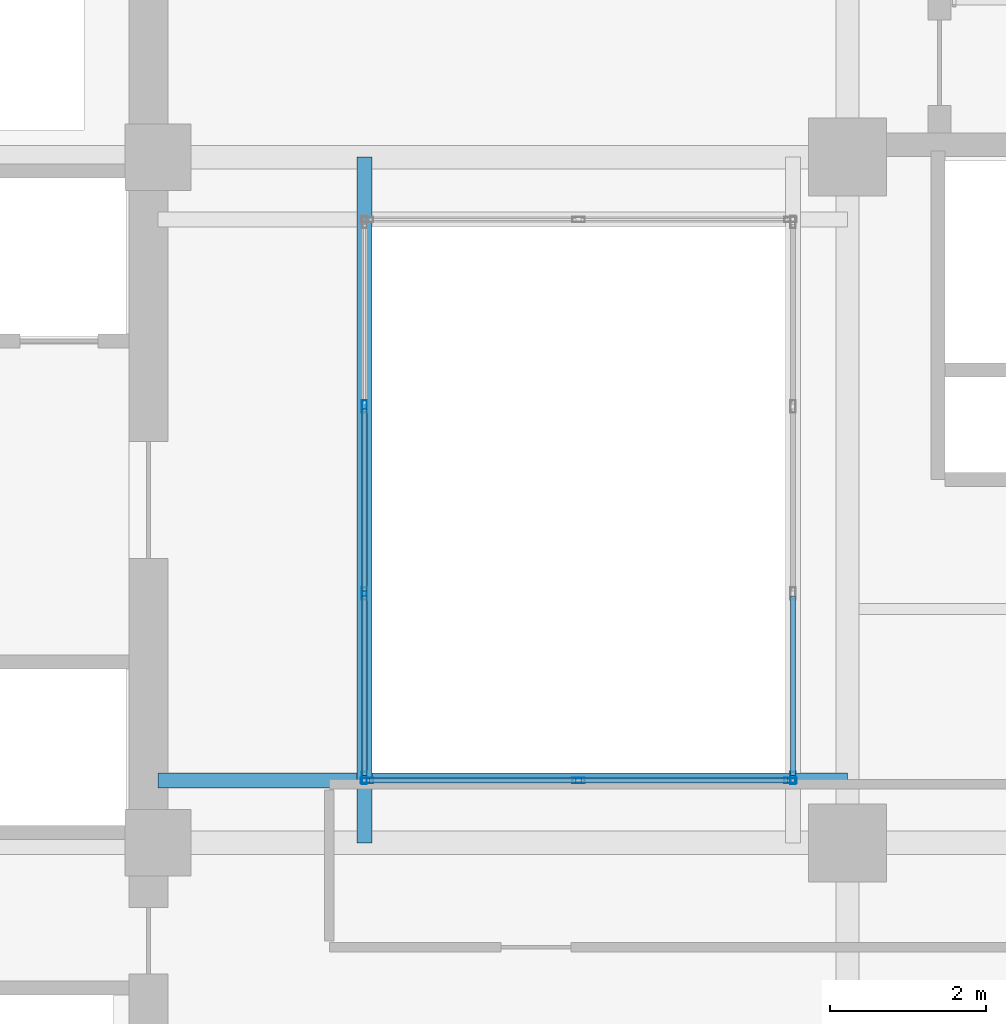
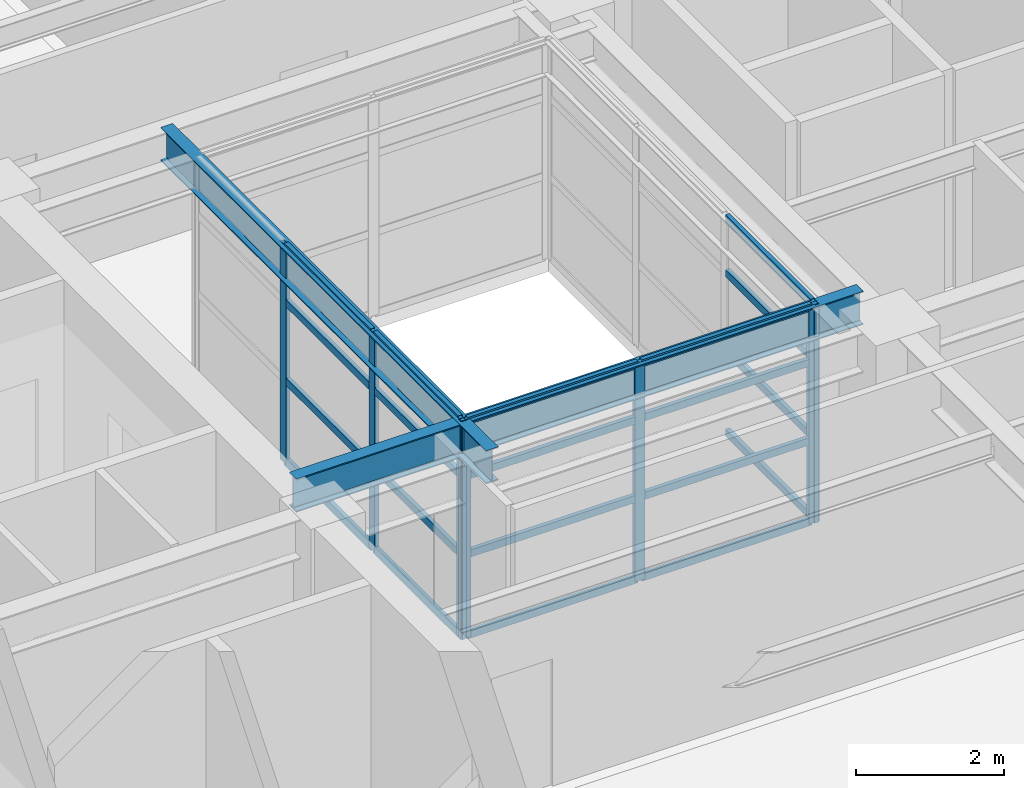
# One storey, part 2 of 14: 27 members, 2 beams, 3 elements without a shape of their own.
"""IFC4 building model written with IfcOpenShell, lengths in metres."""

from ifc_helpers import new_model, si_unit, direction, frame, origin, origin_2d, place, context, subcontext, project, spatial, hollow_rectangle, i_section, extrude, material, layer, layer_set, material_profile, profile_set, type_object, element, aggregate, save


model = new_model("IFC4")

# Units and contexts
model_context = context("Model", 3, precision=1e-05, world=origin(), true_north=direction((0.0, 1.0)))
body_context = subcontext(model_context, "Body", "Model", "MODEL_VIEW")
ifc_project = project(units=[si_unit("LENGTHUNIT", "METRE"), si_unit("AREAUNIT", "SQUARE_METRE"), si_unit("VOLUMEUNIT", "CUBIC_METRE"), si_unit("PLANEANGLEUNIT", "RADIAN"), si_unit("MASSUNIT", "GRAM", prefix="KILO")], contexts=[model_context])

# Site, building, storey
site_placement = place(None, origin())
site = spatial("IfcSite", under=ifc_project, at=site_placement, CompositionType="ELEMENT")
building_placement = place(site_placement, origin())
building = spatial("IfcBuilding", under=site, at=building_placement, Name="Kundavana Baori Tower", CompositionType="ELEMENT")
storey_placement = place(building_placement, frame((0.0, 0.0, 104.0)))
storey = spatial("IfcBuildingStorey", under=building, at=storey_placement, Name="L24", CompositionType="ELEMENT", Elevation=104.0)

# Beams
ifc_material_1 = material(Name="Structural Steel S355JR", Category="steel")
ifc_material_profile_1 = material_profile(ifc_material_1, i_section(OverallWidth=0.18994140625, OverallDepth=0.550048828125, WebThickness=0.01123046875, FlangeThickness=0.019287109375, FilletRadius=0.01806640625, at=origin_2d()), Name="ISMB 550")
ifc_profile_set_1 = profile_set([ifc_material_profile_1], Name="Structural Steel S355JR")
beam_type = type_object("IfcBeamType", Name="BM-ST-550", PredefinedType="BEAM", material=ifc_profile_set_1)
beam_1_placement = place(storey_placement, frame((27.60009765625, 24.199951171875, 3.324951171875), z_axis=(0.0, 1.0, 0.0), x_axis=(-1.0, 0.0, 0.0)))
element("IfcBeam", 1, at=beam_1_placement, inside=storey, type_object=beam_type, Name="L24 Atrium West Edge Beam", PredefinedType="BEAM", context=body_context, shape_type="SweptSolid", body=[
    extrude(i_section(OverallWidth=0.18994140625, OverallDepth=0.550048828125, WebThickness=0.01123046875, FlangeThickness=0.019287109375, FilletRadius=0.01806640625, at=origin_2d()), origin(), (0.0, 0.0, 1.0), 8.800048828125),
])
beam_2_placement = place(storey_placement, frame((24.949951171875, 25.0, 3.324951171875), z_axis=(1.0, 0.0, 0.0), x_axis=(0.0, 1.0, 0.0)))
element("IfcBeam", 2, at=beam_2_placement, inside=storey, type_object=beam_type, Name="L24 Atrium South Edge Beam", PredefinedType="BEAM", context=body_context, shape_type="SweptSolid", body=[
    extrude(i_section(OverallWidth=0.18994140625, OverallDepth=0.550048828125, WebThickness=0.01123046875, FlangeThickness=0.019287109375, FilletRadius=0.01806640625, at=origin_2d()), origin(), (0.0, 0.0, 1.0), 8.85009765625),
])

# Curtain wall, members
ifc_material_2 = material(Name="Thermally Broken Anodised Aluminium Framing", Category="aluminium")
ifc_layer = layer(ifc_material_2, 0.205078125, Name="CW-SYS-4")
ifc_layer_set = layer_set([ifc_layer], Name="Thermally Broken Anodised Aluminium Framing")
curtain_wall_type = type_object("IfcCurtainWallType", Name="CW-SYS-4", PredefinedType="NOTDEFINED", material=ifc_layer_set)
curtain_wall_1_placement = place(storey_placement, origin())
curtain_wall_1 = element("IfcCurtainWall", 3, at=curtain_wall_1_placement, inside=storey, type_object=curtain_wall_type, Name="L24 Atrium Glazed Curtain Wall S", PredefinedType="NOTDEFINED")
ifc_material_3 = material(Name="Thermally Broken Anodised Aluminium Framing", Category="aluminium")
ifc_material_profile_2 = material_profile(ifc_material_3, hollow_rectangle(XDim=0.06494140625, YDim=0.159912109375, WallThickness=0.00390625, at=origin_2d()), Name="CW-MULL-160")
ifc_profile_set_2 = profile_set([ifc_material_profile_2], Name="Thermally Broken Anodised Aluminium Framing")
member_type_1 = type_object("IfcMemberType", Name="CW-MULL-160", PredefinedType="MULLION", material=ifc_profile_set_2)
member_1_placement = place(storey_placement, frame((27.632568359375, 25.0, 0.0), z_axis=(0.0, 0.0, 1.0), x_axis=(0.0, 1.0, 0.0)))
member_1 = element("IfcMember", 4, at=member_1_placement, type_object=member_type_1, Name="CW4 mullion 1", PredefinedType="MULLION", context=body_context, shape_type="SweptSolid", body=[
    extrude(hollow_rectangle(XDim=0.06494140625, YDim=0.159912109375, WallThickness=0.00390625, at=origin_2d()), origin(), (0.0, 0.0, 1.0), 3.60009765625),
])
member_2_placement = place(storey_placement, frame((30.35009765625, 25.0, 0.0), z_axis=(0.0, 0.0, 1.0), x_axis=(0.0, 1.0, 0.0)))
member_2 = element("IfcMember", 5, at=member_2_placement, type_object=member_type_1, Name="CW4 mullion 2", PredefinedType="MULLION", context=body_context, shape_type="SweptSolid", body=[
    extrude(hollow_rectangle(XDim=0.06494140625, YDim=0.159912109375, WallThickness=0.00390625, at=origin_2d()), origin(), (0.0, 0.0, 1.0), 3.60009765625),
])
member_3_placement = place(storey_placement, frame((33.0673828125, 25.0, 0.0), z_axis=(0.0, 0.0, 1.0), x_axis=(0.0, 1.0, 0.0)))
member_3 = element("IfcMember", 6, at=member_3_placement, type_object=member_type_1, Name="CW4 mullion 3", PredefinedType="MULLION", context=body_context, shape_type="SweptSolid", body=[
    extrude(hollow_rectangle(XDim=0.06494140625, YDim=0.159912109375, WallThickness=0.00390625, at=origin_2d()), origin(), (0.0, 0.0, 1.0), 3.60009765625),
])

# Curtain wall, member
curtain_wall_2_placement = place(storey_placement, origin())
curtain_wall_2 = element("IfcCurtainWall", 7, at=curtain_wall_2_placement, inside=storey, type_object=curtain_wall_type, Name="L24 Atrium Glazed Curtain Wall E", PredefinedType="NOTDEFINED")
member_4_placement = place(storey_placement, frame((33.10009765625, 25.032470703125, 0.0), z_axis=(0.0, 0.0, 1.0), x_axis=(-1.0, 0.0, 0.0)))
member_4 = element("IfcMember", 8, at=member_4_placement, type_object=member_type_1, Name="CW4 mullion 1", PredefinedType="MULLION", context=body_context, shape_type="SweptSolid", body=[
    extrude(hollow_rectangle(XDim=0.06494140625, YDim=0.159912109375, WallThickness=0.00390625, at=origin_2d()), origin(), (0.0, 0.0, 1.0), 3.60009765625),
])

# Curtain wall, members
curtain_wall_3_placement = place(storey_placement, origin())
curtain_wall_3 = element("IfcCurtainWall", 9, at=curtain_wall_3_placement, inside=storey, type_object=curtain_wall_type, Name="L24 Atrium Glazed Curtain Wall W", PredefinedType="NOTDEFINED")
member_5_placement = place(storey_placement, frame((27.60009765625, 29.800048828125, 0.0), z_axis=(0.0, 0.0, 1.0), x_axis=(1.0, 0.0, 0.0)))
member_5 = element("IfcMember", 10, at=member_5_placement, type_object=member_type_1, Name="CW4 mullion 2", PredefinedType="MULLION", context=body_context, shape_type="SweptSolid", body=[
    extrude(hollow_rectangle(XDim=0.06494140625, YDim=0.159912109375, WallThickness=0.00390625, at=origin_2d()), origin(), (0.0, 0.0, 1.0), 3.60009765625),
])
member_6_placement = place(storey_placement, frame((27.60009765625, 27.39990234375, 0.0), z_axis=(0.0, 0.0, 1.0), x_axis=(1.0, 0.0, 0.0)))
member_6 = element("IfcMember", 11, at=member_6_placement, type_object=member_type_1, Name="CW4 mullion 3", PredefinedType="MULLION", context=body_context, shape_type="SweptSolid", body=[
    extrude(hollow_rectangle(XDim=0.06494140625, YDim=0.159912109375, WallThickness=0.00390625, at=origin_2d()), origin(), (0.0, 0.0, 1.0), 3.60009765625),
])
member_7_placement = place(storey_placement, frame((27.60009765625, 25.032470703125, 0.0), z_axis=(0.0, 0.0, 1.0), x_axis=(1.0, 0.0, 0.0)))
member_7 = element("IfcMember", 12, at=member_7_placement, type_object=member_type_1, Name="CW4 mullion 4", PredefinedType="MULLION", context=body_context, shape_type="SweptSolid", body=[
    extrude(hollow_rectangle(XDim=0.06494140625, YDim=0.159912109375, WallThickness=0.00390625, at=origin_2d()), origin(), (0.0, 0.0, 1.0), 3.60009765625),
])

# Member
ifc_material_4 = material(Name="Thermally Broken Anodised Aluminium Framing", Category="aluminium")
ifc_material_profile_3 = material_profile(ifc_material_4, hollow_rectangle(XDim=0.06494140625, YDim=0.1201171875, WallThickness=0.00390625, at=origin_2d()), Name="CW-TRAN-120")
ifc_profile_set_3 = profile_set([ifc_material_profile_3], Name="Thermally Broken Anodised Aluminium Framing")
member_type_2 = type_object("IfcMemberType", Name="CW-TRAN-120", PredefinedType="USERDEFINED", material=ifc_profile_set_3)
member_8_placement = place(storey_placement, frame((27.6650390625, 25.0, 0.032470703125), z_axis=(1.0, 0.0, 0.0), x_axis=(0.0, 1.0, 0.0)))
member_8 = element("IfcMember", 13, at=member_8_placement, type_object=member_type_2, Name="CW4 transom 1.1", ObjectType="TRANSOM", PredefinedType="USERDEFINED", context=body_context, shape_type="SweptSolid", body=[
    extrude(hollow_rectangle(XDim=0.06494140625, YDim=0.1201171875, WallThickness=0.00390625, at=origin_2d()), origin(), (0.0, 0.0, 1.0), 2.65234375),
])

member_9_placement = place(storey_placement, frame((27.6650390625, 25.0, 1.367919921875), z_axis=(1.0, 0.0, 0.0), x_axis=(0.0, 1.0, 0.0)))
member_9 = element("IfcMember", 14, at=member_9_placement, type_object=member_type_2, Name="CW4 transom 1.2", ObjectType="TRANSOM", PredefinedType="USERDEFINED", context=body_context, shape_type="SweptSolid", body=[
    extrude(hollow_rectangle(XDim=0.06494140625, YDim=0.1201171875, WallThickness=0.00390625, at=origin_2d()), origin(), (0.0, 0.0, 1.0), 2.65234375),
])

member_10_placement = place(storey_placement, frame((27.6650390625, 25.0, 2.6640625), z_axis=(1.0, 0.0, 0.0), x_axis=(0.0, 1.0, 0.0)))
member_10 = element("IfcMember", 15, at=member_10_placement, type_object=member_type_2, Name="CW4 transom 1.3", ObjectType="TRANSOM", PredefinedType="USERDEFINED", context=body_context, shape_type="SweptSolid", body=[
    extrude(hollow_rectangle(XDim=0.06494140625, YDim=0.1201171875, WallThickness=0.00390625, at=origin_2d()), origin(), (0.0, 0.0, 1.0), 2.65234375),
])

member_11_placement = place(storey_placement, frame((27.6650390625, 25.0, 3.5673828125), z_axis=(1.0, 0.0, 0.0), x_axis=(0.0, 1.0, 0.0)))
member_11 = element("IfcMember", 16, at=member_11_placement, type_object=member_type_2, Name="CW4 transom 1.4", ObjectType="TRANSOM", PredefinedType="USERDEFINED", context=body_context, shape_type="SweptSolid", body=[
    extrude(hollow_rectangle(XDim=0.06494140625, YDim=0.1201171875, WallThickness=0.00390625, at=origin_2d()), origin(), (0.0, 0.0, 1.0), 2.65234375),
])

member_12_placement = place(storey_placement, frame((30.382568359375, 25.0, 0.032470703125), z_axis=(1.0, 0.0, 0.0), x_axis=(0.0, 1.0, 0.0)))
member_12 = element("IfcMember", 17, at=member_12_placement, type_object=member_type_2, Name="CW4 transom 2.1", ObjectType="TRANSOM", PredefinedType="USERDEFINED", context=body_context, shape_type="SweptSolid", body=[
    extrude(hollow_rectangle(XDim=0.06494140625, YDim=0.1201171875, WallThickness=0.00390625, at=origin_2d()), origin(), (0.0, 0.0, 1.0), 2.65234375),
])

member_13_placement = place(storey_placement, frame((30.382568359375, 25.0, 1.367919921875), z_axis=(1.0, 0.0, 0.0), x_axis=(0.0, 1.0, 0.0)))
member_13 = element("IfcMember", 18, at=member_13_placement, type_object=member_type_2, Name="CW4 transom 2.2", ObjectType="TRANSOM", PredefinedType="USERDEFINED", context=body_context, shape_type="SweptSolid", body=[
    extrude(hollow_rectangle(XDim=0.06494140625, YDim=0.1201171875, WallThickness=0.00390625, at=origin_2d()), origin(), (0.0, 0.0, 1.0), 2.65234375),
])

member_14_placement = place(storey_placement, frame((30.382568359375, 25.0, 2.6640625), z_axis=(1.0, 0.0, 0.0), x_axis=(0.0, 1.0, 0.0)))
member_14 = element("IfcMember", 19, at=member_14_placement, type_object=member_type_2, Name="CW4 transom 2.3", ObjectType="TRANSOM", PredefinedType="USERDEFINED", context=body_context, shape_type="SweptSolid", body=[
    extrude(hollow_rectangle(XDim=0.06494140625, YDim=0.1201171875, WallThickness=0.00390625, at=origin_2d()), origin(), (0.0, 0.0, 1.0), 2.65234375),
])

member_15_placement = place(storey_placement, frame((30.382568359375, 25.0, 3.5673828125), z_axis=(1.0, 0.0, 0.0), x_axis=(0.0, 1.0, 0.0)))
member_15 = element("IfcMember", 20, at=member_15_placement, type_object=member_type_2, Name="CW4 transom 2.4", ObjectType="TRANSOM", PredefinedType="USERDEFINED", context=body_context, shape_type="SweptSolid", body=[
    extrude(hollow_rectangle(XDim=0.06494140625, YDim=0.1201171875, WallThickness=0.00390625, at=origin_2d()), origin(), (0.0, 0.0, 1.0), 2.65234375),
])

aggregate(curtain_wall_1, [member_1, member_2, member_3, member_8, member_9, member_10, member_11, member_12, member_13, member_14, member_15])

member_16_placement = place(storey_placement, frame((33.10009765625, 25.06494140625, 0.032470703125), z_axis=(0.0, 1.0, 0.0), x_axis=(-1.0, 0.0, 0.0)))
member_16 = element("IfcMember", 21, at=member_16_placement, type_object=member_type_2, Name="CW4 transom 1.1", ObjectType="TRANSOM", PredefinedType="USERDEFINED", context=body_context, shape_type="SweptSolid", body=[
    extrude(hollow_rectangle(XDim=0.06494140625, YDim=0.1201171875, WallThickness=0.00390625, at=origin_2d()), origin(), (0.0, 0.0, 1.0), 2.302490234375),
])

member_17_placement = place(storey_placement, frame((33.10009765625, 25.06494140625, 1.367919921875), z_axis=(0.0, 1.0, 0.0), x_axis=(-1.0, 0.0, 0.0)))
member_17 = element("IfcMember", 22, at=member_17_placement, type_object=member_type_2, Name="CW4 transom 1.2", ObjectType="TRANSOM", PredefinedType="USERDEFINED", context=body_context, shape_type="SweptSolid", body=[
    extrude(hollow_rectangle(XDim=0.06494140625, YDim=0.1201171875, WallThickness=0.00390625, at=origin_2d()), origin(), (0.0, 0.0, 1.0), 2.302490234375),
])

member_18_placement = place(storey_placement, frame((33.10009765625, 25.06494140625, 2.6640625), z_axis=(0.0, 1.0, 0.0), x_axis=(-1.0, 0.0, 0.0)))
member_18 = element("IfcMember", 23, at=member_18_placement, type_object=member_type_2, Name="CW4 transom 1.3", ObjectType="TRANSOM", PredefinedType="USERDEFINED", context=body_context, shape_type="SweptSolid", body=[
    extrude(hollow_rectangle(XDim=0.06494140625, YDim=0.1201171875, WallThickness=0.00390625, at=origin_2d()), origin(), (0.0, 0.0, 1.0), 2.302490234375),
])

member_19_placement = place(storey_placement, frame((33.10009765625, 25.06494140625, 3.5673828125), z_axis=(0.0, 1.0, 0.0), x_axis=(-1.0, 0.0, 0.0)))
member_19 = element("IfcMember", 24, at=member_19_placement, type_object=member_type_2, Name="CW4 transom 1.4", ObjectType="TRANSOM", PredefinedType="USERDEFINED", context=body_context, shape_type="SweptSolid", body=[
    extrude(hollow_rectangle(XDim=0.06494140625, YDim=0.1201171875, WallThickness=0.00390625, at=origin_2d()), origin(), (0.0, 0.0, 1.0), 2.302490234375),
])

aggregate(curtain_wall_2, [member_4, member_16, member_17, member_18, member_19])

member_20_placement = place(storey_placement, frame((27.60009765625, 29.767578125, 0.032470703125), z_axis=(0.0, -1.0, 0.0), x_axis=(1.0, 0.0, 0.0)))
member_20 = element("IfcMember", 25, at=member_20_placement, type_object=member_type_2, Name="CW4 transom 2.1", ObjectType="TRANSOM", PredefinedType="USERDEFINED", context=body_context, shape_type="SweptSolid", body=[
    extrude(hollow_rectangle(XDim=0.06494140625, YDim=0.1201171875, WallThickness=0.00390625, at=origin_2d()), origin(), (0.0, 0.0, 1.0), 2.3349609375),
])

member_21_placement = place(storey_placement, frame((27.60009765625, 29.767578125, 1.367919921875), z_axis=(0.0, -1.0, 0.0), x_axis=(1.0, 0.0, 0.0)))
member_21 = element("IfcMember", 26, at=member_21_placement, type_object=member_type_2, Name="CW4 transom 2.2", ObjectType="TRANSOM", PredefinedType="USERDEFINED", context=body_context, shape_type="SweptSolid", body=[
    extrude(hollow_rectangle(XDim=0.06494140625, YDim=0.1201171875, WallThickness=0.00390625, at=origin_2d()), origin(), (0.0, 0.0, 1.0), 2.3349609375),
])

member_22_placement = place(storey_placement, frame((27.60009765625, 29.767578125, 2.6640625), z_axis=(0.0, -1.0, 0.0), x_axis=(1.0, 0.0, 0.0)))
member_22 = element("IfcMember", 27, at=member_22_placement, type_object=member_type_2, Name="CW4 transom 2.3", ObjectType="TRANSOM", PredefinedType="USERDEFINED", context=body_context, shape_type="SweptSolid", body=[
    extrude(hollow_rectangle(XDim=0.06494140625, YDim=0.1201171875, WallThickness=0.00390625, at=origin_2d()), origin(), (0.0, 0.0, 1.0), 2.3349609375),
])

member_23_placement = place(storey_placement, frame((27.60009765625, 29.767578125, 3.5673828125), z_axis=(0.0, -1.0, 0.0), x_axis=(1.0, 0.0, 0.0)))
member_23 = element("IfcMember", 28, at=member_23_placement, type_object=member_type_2, Name="CW4 transom 2.4", ObjectType="TRANSOM", PredefinedType="USERDEFINED", context=body_context, shape_type="SweptSolid", body=[
    extrude(hollow_rectangle(XDim=0.06494140625, YDim=0.1201171875, WallThickness=0.00390625, at=origin_2d()), origin(), (0.0, 0.0, 1.0), 2.3349609375),
])

member_24_placement = place(storey_placement, frame((27.60009765625, 27.367431640625, 0.032470703125), z_axis=(0.0, -1.0, 0.0), x_axis=(1.0, 0.0, 0.0)))
member_24 = element("IfcMember", 29, at=member_24_placement, type_object=member_type_2, Name="CW4 transom 3.1", ObjectType="TRANSOM", PredefinedType="USERDEFINED", context=body_context, shape_type="SweptSolid", body=[
    extrude(hollow_rectangle(XDim=0.06494140625, YDim=0.1201171875, WallThickness=0.00390625, at=origin_2d()), origin(), (0.0, 0.0, 1.0), 2.302490234375),
])

member_25_placement = place(storey_placement, frame((27.60009765625, 27.367431640625, 1.367919921875), z_axis=(0.0, -1.0, 0.0), x_axis=(1.0, 0.0, 0.0)))
member_25 = element("IfcMember", 30, at=member_25_placement, type_object=member_type_2, Name="CW4 transom 3.2", ObjectType="TRANSOM", PredefinedType="USERDEFINED", context=body_context, shape_type="SweptSolid", body=[
    extrude(hollow_rectangle(XDim=0.06494140625, YDim=0.1201171875, WallThickness=0.00390625, at=origin_2d()), origin(), (0.0, 0.0, 1.0), 2.302490234375),
])

member_26_placement = place(storey_placement, frame((27.60009765625, 27.367431640625, 2.6640625), z_axis=(0.0, -1.0, 0.0), x_axis=(1.0, 0.0, 0.0)))
member_26 = element("IfcMember", 31, at=member_26_placement, type_object=member_type_2, Name="CW4 transom 3.3", ObjectType="TRANSOM", PredefinedType="USERDEFINED", context=body_context, shape_type="SweptSolid", body=[
    extrude(hollow_rectangle(XDim=0.06494140625, YDim=0.1201171875, WallThickness=0.00390625, at=origin_2d()), origin(), (0.0, 0.0, 1.0), 2.302490234375),
])

member_27_placement = place(storey_placement, frame((27.60009765625, 27.367431640625, 3.5673828125), z_axis=(0.0, -1.0, 0.0), x_axis=(1.0, 0.0, 0.0)))
member_27 = element("IfcMember", 32, at=member_27_placement, type_object=member_type_2, Name="CW4 transom 3.4", ObjectType="TRANSOM", PredefinedType="USERDEFINED", context=body_context, shape_type="SweptSolid", body=[
    extrude(hollow_rectangle(XDim=0.06494140625, YDim=0.1201171875, WallThickness=0.00390625, at=origin_2d()), origin(), (0.0, 0.0, 1.0), 2.302490234375),
])

aggregate(curtain_wall_3, [member_5, member_6, member_7, member_20, member_21, member_22, member_23, member_24, member_25, member_26, member_27])

save(model, "model.ifc")
